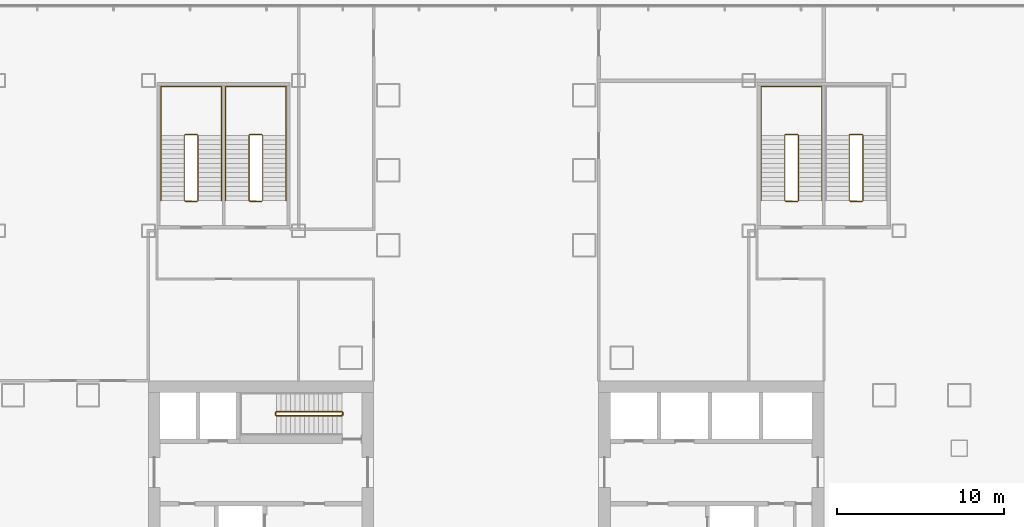
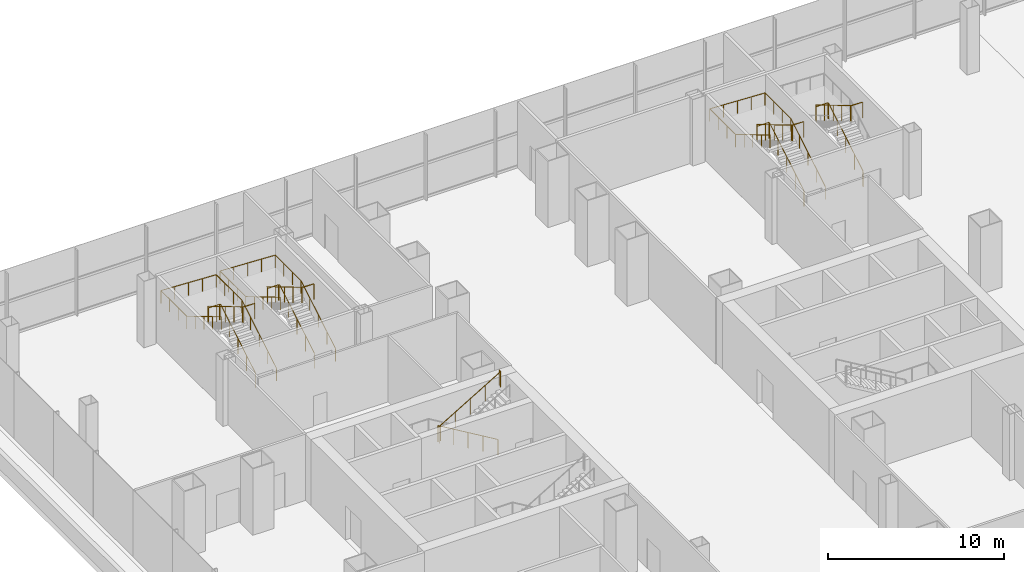
# One storey, part 30 of 33: 8 railings.
"""IFC4 building model written with IfcOpenShell, lengths in metres."""

from ifc_helpers import new_model, si_unit, direction, frame, origin, origin_2d, place, context, subcontext, project, spatial, circle, extrude, material, type_object, element, save


model = new_model("IFC4")

# Units and contexts
model_context = context("Model", 3, precision=1e-05, world=origin(), true_north=direction((0.0, 1.0)))
body_context = subcontext(model_context, "Body", "Model", "MODEL_VIEW")
ifc_project = project(units=[si_unit("LENGTHUNIT", "METRE"), si_unit("AREAUNIT", "SQUARE_METRE"), si_unit("VOLUMEUNIT", "CUBIC_METRE"), si_unit("PLANEANGLEUNIT", "RADIAN"), si_unit("MASSUNIT", "GRAM", prefix="KILO")], contexts=[model_context])

# Site, building, storey
site_placement = place(None, origin())
site = spatial("IfcSite", under=ifc_project, at=site_placement, CompositionType="ELEMENT")
building_placement = place(site_placement, origin())
building = spatial("IfcBuilding", under=site, at=building_placement, Name="Shamsa Quay Exchange Towers", CompositionType="ELEMENT")
storey_placement = place(building_placement, frame((0.0, 0.0, 18.5)))
storey = spatial("IfcBuildingStorey", under=building, at=storey_placement, Name="L03", CompositionType="ELEMENT", Elevation=18.5)

# Railings
ifc_material = material(Name="Stainless steel", Category="steel")
railing_type_1 = type_object("IfcRailingType", Name="STAIR GUARD 1100", PredefinedType="GUARDRAIL", material=ifc_material)
railing_1_placement = place(storey_placement, frame((-42.39990234375, 4.89990234375, 0.166748046875)))
element("IfcRailing", 1, at=railing_1_placement, inside=storey, type_object=railing_type_1, Name="L03 ST3 stair guard 1", PredefinedType="GUARDRAIL", context=body_context, shape_type="SweptSolid", body=[
    extrude(circle(Radius=0.02392578125, at=origin_2d()), frame((0.0, 0.0, 1.076171875), z_axis=(-0.859310244771, 0.0, 0.511454693235), x_axis=(0.0, -1.0, 0.0)), (0.0, 0.0, 1.0), 4.56201171875),
    extrude(circle(Radius=0.02392578125, at=origin_2d()), frame((-3.920166015625, 0.0, 3.4091796875), z_axis=(-0.708833529934, -0.705375805398, 0.0), x_axis=(0.705375805398, -0.708833529934, 0.0)), (0.0, 0.0, 1.0), 0.070556640625),
    extrude(circle(Radius=0.02392578125, at=origin_2d()), frame((-3.97021484375, -0.0498046875, 3.4091796875), z_axis=(0.0, -1.0, 0.0), x_axis=(1.0, 0.0, 0.0)), (0.0, 0.0, 1.0), 0.150146484375),
    extrude(circle(Radius=0.02392578125, at=origin_2d()), frame((-3.97021484375, -0.199951171875, 3.4091796875), z_axis=(0.27628659633, -0.27628659633, 0.920506074601), x_axis=(0.707106781187, 0.707106781187, 0.0)), (0.0, 0.0, 1.0), 0.18115234375),
    extrude(circle(Radius=0.02392578125, at=origin_2d()), frame((-3.920166015625, -0.25, 3.576171875), z_axis=(0.859310244771, 0.0, 0.511454693235), x_axis=(0.0, 1.0, 0.0)), (0.0, 0.0, 1.0), 4.56201171875),
    extrude(circle(Radius=0.02392578125, at=origin_2d()), frame((0.0, -0.25, 5.9091796875), z_axis=(0.24142163986, 0.970420317083, 0.0), x_axis=(-0.970420317083, 0.24142163986, 0.0)), (0.0, 0.0, 1.0), 0.206298828125),
    extrude(circle(Radius=0.02392578125, at=origin_2d()), frame((0.0498046875, -0.0498046875, 5.9091796875), z_axis=(0.0, -1.0, 0.0), x_axis=(1.0, 0.0, 0.0)), (0.0, 0.0, 1.0), 0.150146484375),
    extrude(circle(Radius=0.02099609375, at=origin_2d()), origin(), (0.0, 0.0, 1.0), 1.052001953125),
    extrude(circle(Radius=0.02099609375, at=origin_2d()), frame((-0.97998046875, 0.0, 0.583251953125)), (0.0, 0.0, 1.0), 1.052001953125),
    extrude(circle(Radius=0.02099609375, at=origin_2d()), frame((-1.9599609375, 0.0, 1.16650390625)), (0.0, 0.0, 1.0), 1.052001953125),
    extrude(circle(Radius=0.02099609375, at=origin_2d()), frame((-2.940185546875, 0.0, 1.75)), (0.0, 0.0, 1.0), 1.052001953125),
    extrude(circle(Radius=0.02099609375, at=origin_2d()), frame((-3.920166015625, 0.0, 2.333251953125)), (0.0, 0.0, 1.0), 1.052001953125),
    extrude(circle(Radius=0.02099609375, at=origin_2d()), frame((-3.97021484375, -0.0498046875, 2.333251953125)), (0.0, 0.0, 1.0), 1.052001953125),
    extrude(circle(Radius=0.02099609375, at=origin_2d()), frame((-3.97021484375, -0.199951171875, 2.333251953125)), (0.0, 0.0, 1.0), 1.052001953125),
    extrude(circle(Radius=0.02099609375, at=origin_2d()), frame((-3.920166015625, -0.25, 2.5)), (0.0, 0.0, 1.0), 1.052001953125),
    extrude(circle(Radius=0.02099609375, at=origin_2d()), frame((-2.940185546875, -0.25, 3.083251953125)), (0.0, 0.0, 1.0), 1.052001953125),
    extrude(circle(Radius=0.02099609375, at=origin_2d()), frame((-1.9599609375, -0.25, 3.66650390625)), (0.0, 0.0, 1.0), 1.052001953125),
    extrude(circle(Radius=0.02099609375, at=origin_2d()), frame((-0.97998046875, -0.25, 4.25)), (0.0, 0.0, 1.0), 1.052001953125),
    extrude(circle(Radius=0.02099609375, at=origin_2d()), frame((0.0, -0.25, 4.833251953125)), (0.0, 0.0, 1.0), 1.052001953125),
    extrude(circle(Radius=0.02099609375, at=origin_2d()), frame((0.0498046875, -0.0498046875, 4.833251953125)), (0.0, 0.0, 1.0), 1.052001953125),
    extrude(circle(Radius=0.02099609375, at=origin_2d()), frame((0.0498046875, -0.199951171875, 4.833251953125)), (0.0, 0.0, 1.0), 1.052001953125),
])
railing_2_placement = place(storey_placement, frame((-51.02490234375, 17.550048828125, 0.166748046875)))
element("IfcRailing", 2, at=railing_2_placement, inside=storey, type_object=railing_type_1, Name="L03 PS1A stair guard 1", PredefinedType="GUARDRAIL", context=body_context, shape_type="SweptSolid", body=[
    extrude(circle(Radius=0.02392578125, at=origin_2d()), frame((0.0, 0.0, 1.076171875), z_axis=(0.0, 0.859296244711, 0.511478214419), x_axis=(-1.0, 0.0, 0.0)), (0.0, 0.0, 1.0), 4.561767578125),
    extrude(circle(Radius=0.02392578125, at=origin_2d()), frame((0.0, 3.919921875, 3.4091796875), z_axis=(-0.707106781187, 0.707106781187, 0.0), x_axis=(-0.707106781187, -0.707106781187, 0.0)), (0.0, 0.0, 1.0), 0.07080078125),
    extrude(circle(Radius=0.02392578125, at=origin_2d()), frame((-0.050048828125, 3.969970703125, 3.4091796875), z_axis=(-1.0, 0.0, 0.0), x_axis=(0.0, -1.0, 0.0)), (0.0, 0.0, 1.0), 0.72509765625),
    extrude(circle(Radius=0.02392578125, at=origin_2d()), frame((-0.775146484375, 3.969970703125, 3.4091796875), z_axis=(-0.27628659633, -0.27628659633, 0.920506074601), x_axis=(0.707106781187, -0.707106781187, 0.0)), (0.0, 0.0, 1.0), 0.18115234375),
    extrude(circle(Radius=0.02392578125, at=origin_2d()), frame((-0.8251953125, 3.919921875, 3.576171875), z_axis=(0.0, -0.859296244711, 0.511478214419), x_axis=(1.0, 0.0, 0.0)), (0.0, 0.0, 1.0), 4.561767578125),
    extrude(circle(Radius=0.02392578125, at=origin_2d()), frame((-0.8251953125, 0.0, 5.9091796875), z_axis=(0.997922050633, -0.064432762324, 0.0), x_axis=(0.064432762324, 0.997922050633, 0.0)), (0.0, 0.0, 1.0), 0.77685546875),
    extrude(circle(Radius=0.02392578125, at=origin_2d()), frame((-0.050048828125, -0.050048828125, 5.9091796875), z_axis=(-1.0, 0.0, 0.0), x_axis=(0.0, -1.0, 0.0)), (0.0, 0.0, 1.0), 0.72509765625),
    extrude(circle(Radius=0.02099609375, at=origin_2d()), origin(), (0.0, 0.0, 1.0), 1.052001953125),
    extrude(circle(Radius=0.02099609375, at=origin_2d()), frame((0.0, 0.97998046875, 0.583251953125)), (0.0, 0.0, 1.0), 1.052001953125),
    extrude(circle(Radius=0.02099609375, at=origin_2d()), frame((0.0, 1.9599609375, 1.16650390625)), (0.0, 0.0, 1.0), 1.052001953125),
    extrude(circle(Radius=0.02099609375, at=origin_2d()), frame((0.0, 2.93994140625, 1.75)), (0.0, 0.0, 1.0), 1.052001953125),
    extrude(circle(Radius=0.02099609375, at=origin_2d()), frame((0.0, 3.919921875, 2.333251953125)), (0.0, 0.0, 1.0), 1.052001953125),
    extrude(circle(Radius=0.02099609375, at=origin_2d()), frame((-0.050048828125, 3.969970703125, 2.333251953125)), (0.0, 0.0, 1.0), 1.052001953125),
    extrude(circle(Radius=0.02099609375, at=origin_2d()), frame((-0.775146484375, 3.969970703125, 2.333251953125)), (0.0, 0.0, 1.0), 1.052001953125),
    extrude(circle(Radius=0.02099609375, at=origin_2d()), frame((-0.8251953125, 3.919921875, 2.5)), (0.0, 0.0, 1.0), 1.052001953125),
    extrude(circle(Radius=0.02099609375, at=origin_2d()), frame((-0.8251953125, 2.93994140625, 3.083251953125)), (0.0, 0.0, 1.0), 1.052001953125),
    extrude(circle(Radius=0.02099609375, at=origin_2d()), frame((-0.8251953125, 1.9599609375, 3.66650390625)), (0.0, 0.0, 1.0), 1.052001953125),
    extrude(circle(Radius=0.02099609375, at=origin_2d()), frame((-0.8251953125, 0.97998046875, 4.25)), (0.0, 0.0, 1.0), 1.052001953125),
    extrude(circle(Radius=0.02099609375, at=origin_2d()), frame((-0.8251953125, 0.0, 4.833251953125)), (0.0, 0.0, 1.0), 1.052001953125),
    extrude(circle(Radius=0.02099609375, at=origin_2d()), frame((-0.050048828125, -0.050048828125, 4.833251953125)), (0.0, 0.0, 1.0), 1.052001953125),
    extrude(circle(Radius=0.02099609375, at=origin_2d()), frame((-0.775146484375, -0.050048828125, 4.833251953125)), (0.0, 0.0, 1.0), 1.052001953125),
])
railing_3_placement = place(storey_placement, frame((-47.14990234375, 17.550048828125, 0.166748046875)))
element("IfcRailing", 3, at=railing_3_placement, inside=storey, type_object=railing_type_1, Name="L03 PS1B stair guard 1", PredefinedType="GUARDRAIL", context=body_context, shape_type="SweptSolid", body=[
    extrude(circle(Radius=0.02392578125, at=origin_2d()), frame((0.0, 0.0, 1.076171875), z_axis=(0.0, 0.859296244711, 0.511478214419), x_axis=(-1.0, 0.0, 0.0)), (0.0, 0.0, 1.0), 4.561767578125),
    extrude(circle(Radius=0.02392578125, at=origin_2d()), frame((0.0, 3.919921875, 3.4091796875), z_axis=(-0.707106781187, 0.707106781187, 0.0), x_axis=(-0.707106781187, -0.707106781187, 0.0)), (0.0, 0.0, 1.0), 0.07080078125),
    extrude(circle(Radius=0.02392578125, at=origin_2d()), frame((-0.050048828125, 3.969970703125, 3.4091796875), z_axis=(-1.0, 0.0, 0.0), x_axis=(0.0, -1.0, 0.0)), (0.0, 0.0, 1.0), 0.72509765625),
    extrude(circle(Radius=0.02392578125, at=origin_2d()), frame((-0.775146484375, 3.969970703125, 3.4091796875), z_axis=(-0.27628659633, -0.27628659633, 0.920506074601), x_axis=(0.707106781187, -0.707106781187, 0.0)), (0.0, 0.0, 1.0), 0.18115234375),
    extrude(circle(Radius=0.02392578125, at=origin_2d()), frame((-0.8251953125, 3.919921875, 3.576171875), z_axis=(0.0, -0.859296244711, 0.511478214419), x_axis=(1.0, 0.0, 0.0)), (0.0, 0.0, 1.0), 4.561767578125),
    extrude(circle(Radius=0.02392578125, at=origin_2d()), frame((-0.8251953125, 0.0, 5.9091796875), z_axis=(0.997922050633, -0.064432762324, 0.0), x_axis=(0.064432762324, 0.997922050633, 0.0)), (0.0, 0.0, 1.0), 0.77685546875),
    extrude(circle(Radius=0.02392578125, at=origin_2d()), frame((-0.050048828125, -0.050048828125, 5.9091796875), z_axis=(-1.0, 0.0, 0.0), x_axis=(0.0, -1.0, 0.0)), (0.0, 0.0, 1.0), 0.72509765625),
    extrude(circle(Radius=0.02099609375, at=origin_2d()), origin(), (0.0, 0.0, 1.0), 1.052001953125),
    extrude(circle(Radius=0.02099609375, at=origin_2d()), frame((0.0, 0.97998046875, 0.583251953125)), (0.0, 0.0, 1.0), 1.052001953125),
    extrude(circle(Radius=0.02099609375, at=origin_2d()), frame((0.0, 1.9599609375, 1.16650390625)), (0.0, 0.0, 1.0), 1.052001953125),
    extrude(circle(Radius=0.02099609375, at=origin_2d()), frame((0.0, 2.93994140625, 1.75)), (0.0, 0.0, 1.0), 1.052001953125),
    extrude(circle(Radius=0.02099609375, at=origin_2d()), frame((0.0, 3.919921875, 2.333251953125)), (0.0, 0.0, 1.0), 1.052001953125),
    extrude(circle(Radius=0.02099609375, at=origin_2d()), frame((-0.050048828125, 3.969970703125, 2.333251953125)), (0.0, 0.0, 1.0), 1.052001953125),
    extrude(circle(Radius=0.02099609375, at=origin_2d()), frame((-0.775146484375, 3.969970703125, 2.333251953125)), (0.0, 0.0, 1.0), 1.052001953125),
    extrude(circle(Radius=0.02099609375, at=origin_2d()), frame((-0.8251953125, 3.919921875, 2.5)), (0.0, 0.0, 1.0), 1.052001953125),
    extrude(circle(Radius=0.02099609375, at=origin_2d()), frame((-0.8251953125, 2.93994140625, 3.083251953125)), (0.0, 0.0, 1.0), 1.052001953125),
    extrude(circle(Radius=0.02099609375, at=origin_2d()), frame((-0.8251953125, 1.9599609375, 3.66650390625)), (0.0, 0.0, 1.0), 1.052001953125),
    extrude(circle(Radius=0.02099609375, at=origin_2d()), frame((-0.8251953125, 0.97998046875, 4.25)), (0.0, 0.0, 1.0), 1.052001953125),
    extrude(circle(Radius=0.02099609375, at=origin_2d()), frame((-0.8251953125, 0.0, 4.833251953125)), (0.0, 0.0, 1.0), 1.052001953125),
    extrude(circle(Radius=0.02099609375, at=origin_2d()), frame((-0.050048828125, -0.050048828125, 4.833251953125)), (0.0, 0.0, 1.0), 1.052001953125),
    extrude(circle(Radius=0.02099609375, at=origin_2d()), frame((-0.775146484375, -0.050048828125, 4.833251953125)), (0.0, 0.0, 1.0), 1.052001953125),
])
railing_4_placement = place(storey_placement, frame((-15.02490234375, 17.550048828125, 0.166748046875)))
element("IfcRailing", 4, at=railing_4_placement, inside=storey, type_object=railing_type_1, Name="L03 PS2A stair guard 1", PredefinedType="GUARDRAIL", context=body_context, shape_type="SweptSolid", body=[
    extrude(circle(Radius=0.02392578125, at=origin_2d()), frame((0.0, 0.0, 1.076171875), z_axis=(0.0, 0.859296244711, 0.511478214419), x_axis=(-1.0, 0.0, 0.0)), (0.0, 0.0, 1.0), 4.561767578125),
    extrude(circle(Radius=0.02392578125, at=origin_2d()), frame((0.0, 3.919921875, 3.4091796875), z_axis=(-0.707106781187, 0.707106781187, 0.0), x_axis=(-0.707106781187, -0.707106781187, 0.0)), (0.0, 0.0, 1.0), 0.07080078125),
    extrude(circle(Radius=0.02392578125, at=origin_2d()), frame((-0.050048828125, 3.969970703125, 3.4091796875), z_axis=(-1.0, 0.0, 0.0), x_axis=(0.0, -1.0, 0.0)), (0.0, 0.0, 1.0), 0.72509765625),
    extrude(circle(Radius=0.02392578125, at=origin_2d()), frame((-0.775146484375, 3.969970703125, 3.4091796875), z_axis=(-0.27628659633, -0.27628659633, 0.920506074601), x_axis=(0.707106781187, -0.707106781187, 0.0)), (0.0, 0.0, 1.0), 0.18115234375),
    extrude(circle(Radius=0.02392578125, at=origin_2d()), frame((-0.8251953125, 3.919921875, 3.576171875), z_axis=(0.0, -0.859296244711, 0.511478214419), x_axis=(1.0, 0.0, 0.0)), (0.0, 0.0, 1.0), 4.561767578125),
    extrude(circle(Radius=0.02392578125, at=origin_2d()), frame((-0.8251953125, 0.0, 5.9091796875), z_axis=(0.997922050633, -0.064432762324, 0.0), x_axis=(0.064432762324, 0.997922050633, 0.0)), (0.0, 0.0, 1.0), 0.77685546875),
    extrude(circle(Radius=0.02392578125, at=origin_2d()), frame((-0.050048828125, -0.050048828125, 5.9091796875), z_axis=(-1.0, 0.0, 0.0), x_axis=(0.0, -1.0, 0.0)), (0.0, 0.0, 1.0), 0.72509765625),
    extrude(circle(Radius=0.02099609375, at=origin_2d()), origin(), (0.0, 0.0, 1.0), 1.052001953125),
    extrude(circle(Radius=0.02099609375, at=origin_2d()), frame((0.0, 0.97998046875, 0.583251953125)), (0.0, 0.0, 1.0), 1.052001953125),
    extrude(circle(Radius=0.02099609375, at=origin_2d()), frame((0.0, 1.9599609375, 1.16650390625)), (0.0, 0.0, 1.0), 1.052001953125),
    extrude(circle(Radius=0.02099609375, at=origin_2d()), frame((0.0, 2.93994140625, 1.75)), (0.0, 0.0, 1.0), 1.052001953125),
    extrude(circle(Radius=0.02099609375, at=origin_2d()), frame((0.0, 3.919921875, 2.333251953125)), (0.0, 0.0, 1.0), 1.052001953125),
    extrude(circle(Radius=0.02099609375, at=origin_2d()), frame((-0.050048828125, 3.969970703125, 2.333251953125)), (0.0, 0.0, 1.0), 1.052001953125),
    extrude(circle(Radius=0.02099609375, at=origin_2d()), frame((-0.775146484375, 3.969970703125, 2.333251953125)), (0.0, 0.0, 1.0), 1.052001953125),
    extrude(circle(Radius=0.02099609375, at=origin_2d()), frame((-0.8251953125, 3.919921875, 2.5)), (0.0, 0.0, 1.0), 1.052001953125),
    extrude(circle(Radius=0.02099609375, at=origin_2d()), frame((-0.8251953125, 2.93994140625, 3.083251953125)), (0.0, 0.0, 1.0), 1.052001953125),
    extrude(circle(Radius=0.02099609375, at=origin_2d()), frame((-0.8251953125, 1.9599609375, 3.66650390625)), (0.0, 0.0, 1.0), 1.052001953125),
    extrude(circle(Radius=0.02099609375, at=origin_2d()), frame((-0.8251953125, 0.97998046875, 4.25)), (0.0, 0.0, 1.0), 1.052001953125),
    extrude(circle(Radius=0.02099609375, at=origin_2d()), frame((-0.8251953125, 0.0, 4.833251953125)), (0.0, 0.0, 1.0), 1.052001953125),
    extrude(circle(Radius=0.02099609375, at=origin_2d()), frame((-0.050048828125, -0.050048828125, 4.833251953125)), (0.0, 0.0, 1.0), 1.052001953125),
    extrude(circle(Radius=0.02099609375, at=origin_2d()), frame((-0.775146484375, -0.050048828125, 4.833251953125)), (0.0, 0.0, 1.0), 1.052001953125),
])
railing_5_placement = place(storey_placement, frame((-11.14990234375, 17.550048828125, 0.166748046875)))
element("IfcRailing", 5, at=railing_5_placement, inside=storey, type_object=railing_type_1, Name="L03 PS2B stair guard 1", PredefinedType="GUARDRAIL", context=body_context, shape_type="SweptSolid", body=[
    extrude(circle(Radius=0.02392578125, at=origin_2d()), frame((0.0, 0.0, 1.076171875), z_axis=(0.0, 0.859296244711, 0.511478214419), x_axis=(-1.0, 0.0, 0.0)), (0.0, 0.0, 1.0), 4.561767578125),
    extrude(circle(Radius=0.02392578125, at=origin_2d()), frame((0.0, 3.919921875, 3.4091796875), z_axis=(-0.707106781187, 0.707106781187, 0.0), x_axis=(-0.707106781187, -0.707106781187, 0.0)), (0.0, 0.0, 1.0), 0.07080078125),
    extrude(circle(Radius=0.02392578125, at=origin_2d()), frame((-0.050048828125, 3.969970703125, 3.4091796875), z_axis=(-1.0, 0.0, 0.0), x_axis=(0.0, -1.0, 0.0)), (0.0, 0.0, 1.0), 0.72509765625),
    extrude(circle(Radius=0.02392578125, at=origin_2d()), frame((-0.775146484375, 3.969970703125, 3.4091796875), z_axis=(-0.27628659633, -0.27628659633, 0.920506074601), x_axis=(0.707106781187, -0.707106781187, 0.0)), (0.0, 0.0, 1.0), 0.18115234375),
    extrude(circle(Radius=0.02392578125, at=origin_2d()), frame((-0.8251953125, 3.919921875, 3.576171875), z_axis=(0.0, -0.859296244711, 0.511478214419), x_axis=(1.0, 0.0, 0.0)), (0.0, 0.0, 1.0), 4.561767578125),
    extrude(circle(Radius=0.02392578125, at=origin_2d()), frame((-0.8251953125, 0.0, 5.9091796875), z_axis=(0.997922050633, -0.064432762324, 0.0), x_axis=(0.064432762324, 0.997922050633, 0.0)), (0.0, 0.0, 1.0), 0.77685546875),
    extrude(circle(Radius=0.02392578125, at=origin_2d()), frame((-0.050048828125, -0.050048828125, 5.9091796875), z_axis=(-1.0, 0.0, 0.0), x_axis=(0.0, -1.0, 0.0)), (0.0, 0.0, 1.0), 0.72509765625),
    extrude(circle(Radius=0.02099609375, at=origin_2d()), origin(), (0.0, 0.0, 1.0), 1.052001953125),
    extrude(circle(Radius=0.02099609375, at=origin_2d()), frame((0.0, 0.97998046875, 0.583251953125)), (0.0, 0.0, 1.0), 1.052001953125),
    extrude(circle(Radius=0.02099609375, at=origin_2d()), frame((0.0, 1.9599609375, 1.16650390625)), (0.0, 0.0, 1.0), 1.052001953125),
    extrude(circle(Radius=0.02099609375, at=origin_2d()), frame((0.0, 2.93994140625, 1.75)), (0.0, 0.0, 1.0), 1.052001953125),
    extrude(circle(Radius=0.02099609375, at=origin_2d()), frame((0.0, 3.919921875, 2.333251953125)), (0.0, 0.0, 1.0), 1.052001953125),
    extrude(circle(Radius=0.02099609375, at=origin_2d()), frame((-0.050048828125, 3.969970703125, 2.333251953125)), (0.0, 0.0, 1.0), 1.052001953125),
    extrude(circle(Radius=0.02099609375, at=origin_2d()), frame((-0.775146484375, 3.969970703125, 2.333251953125)), (0.0, 0.0, 1.0), 1.052001953125),
    extrude(circle(Radius=0.02099609375, at=origin_2d()), frame((-0.8251953125, 3.919921875, 2.5)), (0.0, 0.0, 1.0), 1.052001953125),
    extrude(circle(Radius=0.02099609375, at=origin_2d()), frame((-0.8251953125, 2.93994140625, 3.083251953125)), (0.0, 0.0, 1.0), 1.052001953125),
    extrude(circle(Radius=0.02099609375, at=origin_2d()), frame((-0.8251953125, 1.9599609375, 3.66650390625)), (0.0, 0.0, 1.0), 1.052001953125),
    extrude(circle(Radius=0.02099609375, at=origin_2d()), frame((-0.8251953125, 0.97998046875, 4.25)), (0.0, 0.0, 1.0), 1.052001953125),
    extrude(circle(Radius=0.02099609375, at=origin_2d()), frame((-0.8251953125, 0.0, 4.833251953125)), (0.0, 0.0, 1.0), 1.052001953125),
    extrude(circle(Radius=0.02099609375, at=origin_2d()), frame((-0.050048828125, -0.050048828125, 4.833251953125)), (0.0, 0.0, 1.0), 1.052001953125),
    extrude(circle(Radius=0.02099609375, at=origin_2d()), frame((-0.775146484375, -0.050048828125, 4.833251953125)), (0.0, 0.0, 1.0), 1.052001953125),
])
railing_type_2 = type_object("IfcRailingType", Name="STAIR HANDRAIL 900", PredefinedType="HANDRAIL", material=ifc_material)
railing_6_placement = place(storey_placement, frame((-49.625, 17.550048828125, 0.166748046875)))
element("IfcRailing", 6, at=railing_6_placement, inside=storey, type_object=railing_type_2, Name="L03 PS1A stair handrail 1", PredefinedType="HANDRAIL", context=body_context, shape_type="SweptSolid", body=[
    extrude(circle(Radius=0.02392578125, at=origin_2d()), frame((0.0, 0.0, 0.8759765625), z_axis=(0.0, 0.859296244711, 0.511478214419), x_axis=(-1.0, 0.0, 0.0)), (0.0, 0.0, 1.0), 4.561767578125),
    extrude(circle(Radius=0.02392578125, at=origin_2d()), frame((0.0, 3.919921875, 3.208984375), z_axis=(0.0, 1.0, 0.0), x_axis=(-1.0, 0.0, 0.0)), (0.0, 0.0, 1.0), 2.929931640625),
    extrude(circle(Radius=0.02392578125, at=origin_2d()), frame((0.0, 6.849853515625, 3.208984375), z_axis=(-0.998943700797, 0.0, 0.045950872013), x_axis=(0.0, -1.0, 0.0)), (0.0, 0.0, 1.0), 3.62890625),
    extrude(circle(Radius=0.02392578125, at=origin_2d()), frame((-3.625, 6.849853515625, 3.3759765625), z_axis=(0.0, -1.0, 0.0), x_axis=(1.0, 0.0, 0.0)), (0.0, 0.0, 1.0), 2.929931640625),
    extrude(circle(Radius=0.02392578125, at=origin_2d()), frame((-3.625, 3.919921875, 3.3759765625), z_axis=(0.0, -0.859296244711, 0.511478214419), x_axis=(1.0, 0.0, 0.0)), (0.0, 0.0, 1.0), 4.561767578125),
    extrude(circle(Radius=0.02099609375, at=origin_2d()), origin(), (0.0, 0.0, 1.0), 0.851806640625),
    extrude(circle(Radius=0.02099609375, at=origin_2d()), frame((0.0, 0.97998046875, 0.583251953125)), (0.0, 0.0, 1.0), 0.851806640625),
    extrude(circle(Radius=0.02099609375, at=origin_2d()), frame((0.0, 1.9599609375, 1.16650390625)), (0.0, 0.0, 1.0), 0.851806640625),
    extrude(circle(Radius=0.02099609375, at=origin_2d()), frame((0.0, 2.93994140625, 1.75)), (0.0, 0.0, 1.0), 0.851806640625),
    extrude(circle(Radius=0.02099609375, at=origin_2d()), frame((0.0, 3.919921875, 2.333251953125)), (0.0, 0.0, 1.0), 0.851806640625),
    extrude(circle(Radius=0.02099609375, at=origin_2d()), frame((0.0, 4.896484375, 2.333251953125)), (0.0, 0.0, 1.0), 0.851806640625),
    extrude(circle(Radius=0.02099609375, at=origin_2d()), frame((0.0, 5.873291015625, 2.333251953125)), (0.0, 0.0, 1.0), 0.851806640625),
    extrude(circle(Radius=0.02099609375, at=origin_2d()), frame((0.0, 6.849853515625, 2.333251953125)), (0.0, 0.0, 1.0), 0.851806640625),
    extrude(circle(Radius=0.02099609375, at=origin_2d()), frame((-0.90625, 6.849853515625, 2.375)), (0.0, 0.0, 1.0), 0.851806640625),
    extrude(circle(Radius=0.02099609375, at=origin_2d()), frame((-1.8125, 6.849853515625, 2.41650390625)), (0.0, 0.0, 1.0), 0.851806640625),
    extrude(circle(Radius=0.02099609375, at=origin_2d()), frame((-2.71875, 6.849853515625, 2.458251953125)), (0.0, 0.0, 1.0), 0.851806640625),
    extrude(circle(Radius=0.02099609375, at=origin_2d()), frame((-3.625, 6.849853515625, 2.5)), (0.0, 0.0, 1.0), 0.851806640625),
    extrude(circle(Radius=0.02099609375, at=origin_2d()), frame((-3.625, 5.873291015625, 2.5)), (0.0, 0.0, 1.0), 0.851806640625),
    extrude(circle(Radius=0.02099609375, at=origin_2d()), frame((-3.625, 4.896484375, 2.5)), (0.0, 0.0, 1.0), 0.851806640625),
    extrude(circle(Radius=0.02099609375, at=origin_2d()), frame((-3.625, 3.919921875, 2.5)), (0.0, 0.0, 1.0), 0.851806640625),
    extrude(circle(Radius=0.02099609375, at=origin_2d()), frame((-3.625, 2.93994140625, 3.083251953125)), (0.0, 0.0, 1.0), 0.851806640625),
    extrude(circle(Radius=0.02099609375, at=origin_2d()), frame((-3.625, 1.9599609375, 3.66650390625)), (0.0, 0.0, 1.0), 0.851806640625),
    extrude(circle(Radius=0.02099609375, at=origin_2d()), frame((-3.625, 0.97998046875, 4.25)), (0.0, 0.0, 1.0), 0.851806640625),
    extrude(circle(Radius=0.02099609375, at=origin_2d()), frame((-3.625, 0.0, 4.833251953125)), (0.0, 0.0, 1.0), 0.851806640625),
])
railing_7_placement = place(storey_placement, frame((-45.75, 17.550048828125, 0.166748046875)))
element("IfcRailing", 7, at=railing_7_placement, inside=storey, type_object=railing_type_2, Name="L03 PS1B stair handrail 1", PredefinedType="HANDRAIL", context=body_context, shape_type="SweptSolid", body=[
    extrude(circle(Radius=0.02392578125, at=origin_2d()), frame((0.0, 0.0, 0.8759765625), z_axis=(0.0, 0.859296244711, 0.511478214419), x_axis=(-1.0, 0.0, 0.0)), (0.0, 0.0, 1.0), 4.561767578125),
    extrude(circle(Radius=0.02392578125, at=origin_2d()), frame((0.0, 3.919921875, 3.208984375), z_axis=(0.0, 1.0, 0.0), x_axis=(-1.0, 0.0, 0.0)), (0.0, 0.0, 1.0), 2.929931640625),
    extrude(circle(Radius=0.02392578125, at=origin_2d()), frame((0.0, 6.849853515625, 3.208984375), z_axis=(-0.998943700797, 0.0, 0.045950872013), x_axis=(0.0, -1.0, 0.0)), (0.0, 0.0, 1.0), 3.62890625),
    extrude(circle(Radius=0.02392578125, at=origin_2d()), frame((-3.625, 6.849853515625, 3.3759765625), z_axis=(0.0, -1.0, 0.0), x_axis=(1.0, 0.0, 0.0)), (0.0, 0.0, 1.0), 2.929931640625),
    extrude(circle(Radius=0.02392578125, at=origin_2d()), frame((-3.625, 3.919921875, 3.3759765625), z_axis=(0.0, -0.859296244711, 0.511478214419), x_axis=(1.0, 0.0, 0.0)), (0.0, 0.0, 1.0), 4.561767578125),
    extrude(circle(Radius=0.02099609375, at=origin_2d()), origin(), (0.0, 0.0, 1.0), 0.851806640625),
    extrude(circle(Radius=0.02099609375, at=origin_2d()), frame((0.0, 0.97998046875, 0.583251953125)), (0.0, 0.0, 1.0), 0.851806640625),
    extrude(circle(Radius=0.02099609375, at=origin_2d()), frame((0.0, 1.9599609375, 1.16650390625)), (0.0, 0.0, 1.0), 0.851806640625),
    extrude(circle(Radius=0.02099609375, at=origin_2d()), frame((0.0, 2.93994140625, 1.75)), (0.0, 0.0, 1.0), 0.851806640625),
    extrude(circle(Radius=0.02099609375, at=origin_2d()), frame((0.0, 3.919921875, 2.333251953125)), (0.0, 0.0, 1.0), 0.851806640625),
    extrude(circle(Radius=0.02099609375, at=origin_2d()), frame((0.0, 4.896484375, 2.333251953125)), (0.0, 0.0, 1.0), 0.851806640625),
    extrude(circle(Radius=0.02099609375, at=origin_2d()), frame((0.0, 5.873291015625, 2.333251953125)), (0.0, 0.0, 1.0), 0.851806640625),
    extrude(circle(Radius=0.02099609375, at=origin_2d()), frame((0.0, 6.849853515625, 2.333251953125)), (0.0, 0.0, 1.0), 0.851806640625),
    extrude(circle(Radius=0.02099609375, at=origin_2d()), frame((-0.90625, 6.849853515625, 2.375)), (0.0, 0.0, 1.0), 0.851806640625),
    extrude(circle(Radius=0.02099609375, at=origin_2d()), frame((-1.8125, 6.849853515625, 2.41650390625)), (0.0, 0.0, 1.0), 0.851806640625),
    extrude(circle(Radius=0.02099609375, at=origin_2d()), frame((-2.71875, 6.849853515625, 2.458251953125)), (0.0, 0.0, 1.0), 0.851806640625),
    extrude(circle(Radius=0.02099609375, at=origin_2d()), frame((-3.625, 6.849853515625, 2.5)), (0.0, 0.0, 1.0), 0.851806640625),
    extrude(circle(Radius=0.02099609375, at=origin_2d()), frame((-3.625, 5.873291015625, 2.5)), (0.0, 0.0, 1.0), 0.851806640625),
    extrude(circle(Radius=0.02099609375, at=origin_2d()), frame((-3.625, 4.896484375, 2.5)), (0.0, 0.0, 1.0), 0.851806640625),
    extrude(circle(Radius=0.02099609375, at=origin_2d()), frame((-3.625, 3.919921875, 2.5)), (0.0, 0.0, 1.0), 0.851806640625),
    extrude(circle(Radius=0.02099609375, at=origin_2d()), frame((-3.625, 2.93994140625, 3.083251953125)), (0.0, 0.0, 1.0), 0.851806640625),
    extrude(circle(Radius=0.02099609375, at=origin_2d()), frame((-3.625, 1.9599609375, 3.66650390625)), (0.0, 0.0, 1.0), 0.851806640625),
    extrude(circle(Radius=0.02099609375, at=origin_2d()), frame((-3.625, 0.97998046875, 4.25)), (0.0, 0.0, 1.0), 0.851806640625),
    extrude(circle(Radius=0.02099609375, at=origin_2d()), frame((-3.625, 0.0, 4.833251953125)), (0.0, 0.0, 1.0), 0.851806640625),
])
railing_8_placement = place(storey_placement, frame((-13.625, 17.550048828125, 0.166748046875)))
element("IfcRailing", 8, at=railing_8_placement, inside=storey, type_object=railing_type_2, Name="L03 PS2A stair handrail 1", PredefinedType="HANDRAIL", context=body_context, shape_type="SweptSolid", body=[
    extrude(circle(Radius=0.02392578125, at=origin_2d()), frame((0.0, 0.0, 0.8759765625), z_axis=(0.0, 0.859296244711, 0.511478214419), x_axis=(-1.0, 0.0, 0.0)), (0.0, 0.0, 1.0), 4.561767578125),
    extrude(circle(Radius=0.02392578125, at=origin_2d()), frame((0.0, 3.919921875, 3.208984375), z_axis=(0.0, 1.0, 0.0), x_axis=(-1.0, 0.0, 0.0)), (0.0, 0.0, 1.0), 2.929931640625),
    extrude(circle(Radius=0.02392578125, at=origin_2d()), frame((0.0, 6.849853515625, 3.208984375), z_axis=(-0.998943700797, 0.0, 0.045950872013), x_axis=(0.0, -1.0, 0.0)), (0.0, 0.0, 1.0), 3.62890625),
    extrude(circle(Radius=0.02392578125, at=origin_2d()), frame((-3.625, 6.849853515625, 3.3759765625), z_axis=(0.0, -1.0, 0.0), x_axis=(1.0, 0.0, 0.0)), (0.0, 0.0, 1.0), 2.929931640625),
    extrude(circle(Radius=0.02392578125, at=origin_2d()), frame((-3.625, 3.919921875, 3.3759765625), z_axis=(0.0, -0.859296244711, 0.511478214419), x_axis=(1.0, 0.0, 0.0)), (0.0, 0.0, 1.0), 4.561767578125),
    extrude(circle(Radius=0.02099609375, at=origin_2d()), origin(), (0.0, 0.0, 1.0), 0.851806640625),
    extrude(circle(Radius=0.02099609375, at=origin_2d()), frame((0.0, 0.97998046875, 0.583251953125)), (0.0, 0.0, 1.0), 0.851806640625),
    extrude(circle(Radius=0.02099609375, at=origin_2d()), frame((0.0, 1.9599609375, 1.16650390625)), (0.0, 0.0, 1.0), 0.851806640625),
    extrude(circle(Radius=0.02099609375, at=origin_2d()), frame((0.0, 2.93994140625, 1.75)), (0.0, 0.0, 1.0), 0.851806640625),
    extrude(circle(Radius=0.02099609375, at=origin_2d()), frame((0.0, 3.919921875, 2.333251953125)), (0.0, 0.0, 1.0), 0.851806640625),
    extrude(circle(Radius=0.02099609375, at=origin_2d()), frame((0.0, 4.896484375, 2.333251953125)), (0.0, 0.0, 1.0), 0.851806640625),
    extrude(circle(Radius=0.02099609375, at=origin_2d()), frame((0.0, 5.873291015625, 2.333251953125)), (0.0, 0.0, 1.0), 0.851806640625),
    extrude(circle(Radius=0.02099609375, at=origin_2d()), frame((0.0, 6.849853515625, 2.333251953125)), (0.0, 0.0, 1.0), 0.851806640625),
    extrude(circle(Radius=0.02099609375, at=origin_2d()), frame((-0.90625, 6.849853515625, 2.375)), (0.0, 0.0, 1.0), 0.851806640625),
    extrude(circle(Radius=0.02099609375, at=origin_2d()), frame((-1.8125, 6.849853515625, 2.41650390625)), (0.0, 0.0, 1.0), 0.851806640625),
    extrude(circle(Radius=0.02099609375, at=origin_2d()), frame((-2.71875, 6.849853515625, 2.458251953125)), (0.0, 0.0, 1.0), 0.851806640625),
    extrude(circle(Radius=0.02099609375, at=origin_2d()), frame((-3.625, 6.849853515625, 2.5)), (0.0, 0.0, 1.0), 0.851806640625),
    extrude(circle(Radius=0.02099609375, at=origin_2d()), frame((-3.625, 5.873291015625, 2.5)), (0.0, 0.0, 1.0), 0.851806640625),
    extrude(circle(Radius=0.02099609375, at=origin_2d()), frame((-3.625, 4.896484375, 2.5)), (0.0, 0.0, 1.0), 0.851806640625),
    extrude(circle(Radius=0.02099609375, at=origin_2d()), frame((-3.625, 3.919921875, 2.5)), (0.0, 0.0, 1.0), 0.851806640625),
    extrude(circle(Radius=0.02099609375, at=origin_2d()), frame((-3.625, 2.93994140625, 3.083251953125)), (0.0, 0.0, 1.0), 0.851806640625),
    extrude(circle(Radius=0.02099609375, at=origin_2d()), frame((-3.625, 1.9599609375, 3.66650390625)), (0.0, 0.0, 1.0), 0.851806640625),
    extrude(circle(Radius=0.02099609375, at=origin_2d()), frame((-3.625, 0.97998046875, 4.25)), (0.0, 0.0, 1.0), 0.851806640625),
    extrude(circle(Radius=0.02099609375, at=origin_2d()), frame((-3.625, 0.0, 4.833251953125)), (0.0, 0.0, 1.0), 0.851806640625),
])

save(model, "model.ifc")
